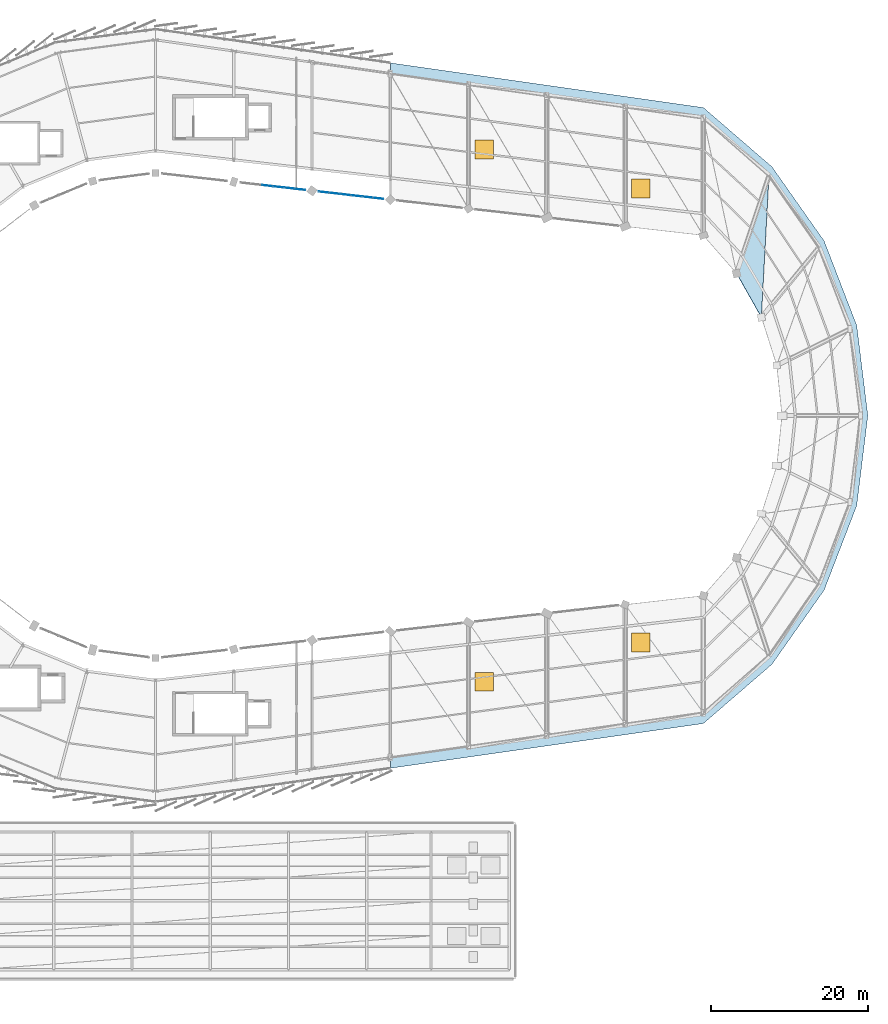
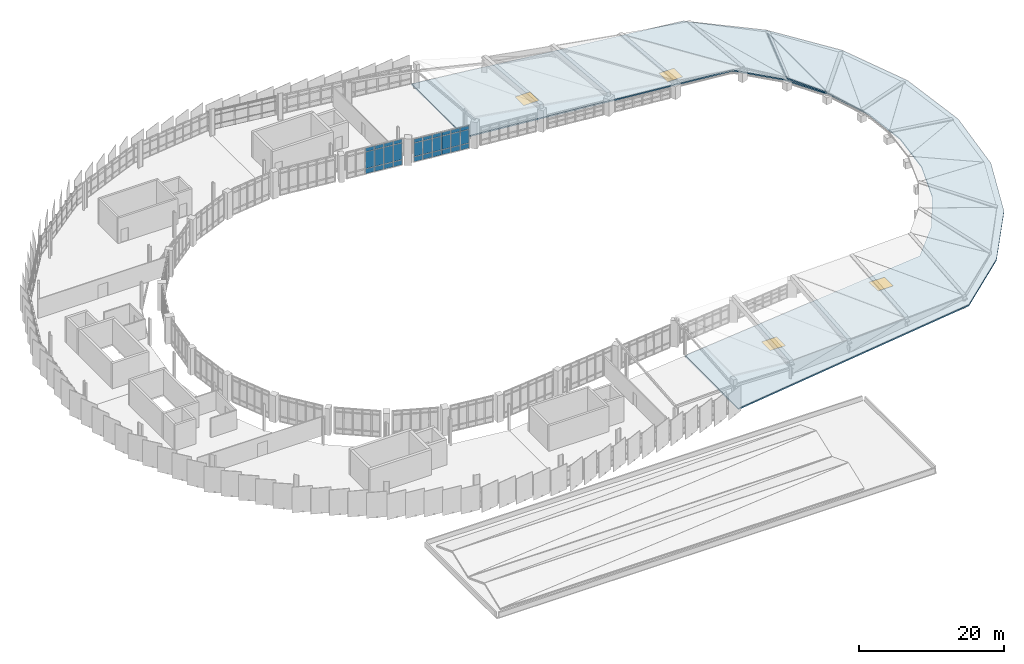
# One storey, part 57 of 67: 30 plates, 4 windows, 2 slabs, 4 openings, 2 elements without a shape of their own.
"""IFC4 building model written with IfcOpenShell, lengths in metres."""

import ifcopenshell
import ifcopenshell.guid

model = None  # the IFC model being written
_history = None  # IfcOwnerHistory: only IFC2X3 demands one
_inside = {}  # id of a spatial element -> (the spatial element, [elements in it])
_under = {}  # id of a project, library or spatial element -> (it, [spatial elements below it])
_declared = {}  # id of a project -> (the project, [libraries it declares])
_typed = {}  # id of a type object -> (the type object, [elements of that type])
_made_of = {}  # id of a material, layer set ... -> (it, [elements and type objects made of it])


def new_model(schema):
    """Start an empty IFC model of exactly this schema.

    Asked for "IFC4X3", IfcOpenShell would pick the latest addendum, in which some entities
    have other attributes; the version numbers below select the first issue.
    IFC2X3 requires an IfcOwnerHistory on every rooted entity: one is made here for all.
    """
    global model, _history
    if schema == "IFC4X3":
        model = ifcopenshell.file(schema_version=(4, 3, 0, 0))
    else:
        model = ifcopenshell.file(schema=schema)
    _inside.clear()
    _under.clear()
    _declared.clear()
    _typed.clear()
    _made_of.clear()
    _history = None
    if model.schema == "IFC2X3":
        org = make("IfcOrganization", Name="unknown")
        user = make(
            "IfcPersonAndOrganization",
            ThePerson=make("IfcPerson", FamilyName="unknown"),
            TheOrganization=org,
        )
        app = make(
            "IfcApplication",
            ApplicationDeveloper=org,
            Version="unknown",
            ApplicationFullName="unknown",
            ApplicationIdentifier="unknown",
        )
        _history = make(
            "IfcOwnerHistory",
            OwningUser=user,
            OwningApplication=app,
            ChangeAction="ADDED",
            CreationDate=0,
        )
    return model


def make(cls, **values):
    """One entity of the class cls with the attributes given. An attribute that is None is left unset."""
    return model.create_entity(
        cls, **{name: value for name, value in values.items() if value is not None}
    )


def rooted(cls, **values):
    """An entity with a GlobalId (a new one), such as an element, a storey or a relation."""
    return make(cls, GlobalId=ifcopenshell.guid.new(), OwnerHistory=_history, **values)


def si_unit(unit_type, name, prefix=None):
    """IfcSIUnit, for example si_unit("LENGTHUNIT", "METRE", prefix="MILLI")."""
    return make("IfcSIUnit", UnitType=unit_type, Prefix=prefix, Name=name)


def assignment(units):
    """IfcUnitAssignment: the units of a project."""
    return None if units is None else make("IfcUnitAssignment", Units=units)


def point(xyz):
    """IfcCartesianPoint."""
    return None if xyz is None else make("IfcCartesianPoint", Coordinates=xyz)


def direction(xyz):
    """IfcDirection."""
    return None if xyz is None else make("IfcDirection", DirectionRatios=xyz)


def frame(location, z_axis=None, x_axis=None):
    """IfcAxis2Placement3D, a coordinate frame: its origin and axes. An axis left out is left unset."""
    return make(
        "IfcAxis2Placement3D",
        Location=point(location),
        Axis=direction(z_axis),
        RefDirection=direction(x_axis),
    )


def frame_2d(location, x_axis=None):
    """IfcAxis2Placement2D, a coordinate frame in the plane: its origin and x axis."""
    return make(
        "IfcAxis2Placement2D", Location=point(location), RefDirection=direction(x_axis)
    )


def origin():
    """The frame at (0, 0, 0) with its axes left unset."""
    return frame((0.0, 0.0, 0.0))


def origin_2d():
    """The frame at (0, 0) in the plane with its x axis left unset."""
    return frame_2d((0.0, 0.0))


def place(relative_to, where):
    """IfcLocalPlacement: puts the frame where relative to a parent placement (None: the world)."""
    return make(
        "IfcLocalPlacement", PlacementRelTo=relative_to, RelativePlacement=where
    )


def context(
    kind, dimensions, precision=None, world=None, true_north=None, identifier=None
):
    """IfcGeometricRepresentationContext, for example the 3D "Model" context."""
    return make(
        "IfcGeometricRepresentationContext",
        ContextIdentifier=identifier,
        ContextType=kind,
        CoordinateSpaceDimension=dimensions,
        Precision=precision,
        WorldCoordinateSystem=world,
        TrueNorth=true_north,
    )


def subcontext(parent, identifier, kind, view, scale=None):
    """IfcGeometricRepresentationSubContext, for example "Body" below "Model"."""
    return make(
        "IfcGeometricRepresentationSubContext",
        ContextIdentifier=identifier,
        ContextType=kind,
        ParentContext=parent,
        TargetScale=scale,
        TargetView=view,
    )


def project(units=None, contexts=None):
    """IfcProject with its units and contexts."""
    return rooted(
        "IfcProject",
        Name="project",
        RepresentationContexts=contexts,
        UnitsInContext=assignment(units),
    )


def spatial(cls, under=None, at=None, **own):
    """A site, building, storey or space (cls), placed at a placement, below another one or the project."""
    s = rooted(cls, ObjectPlacement=at, **own)
    if under is not None:
        _under.setdefault(under.id(), (under, []))[1].append(s)
    return s


def polyline(points):
    """IfcPolyline through the points."""
    return make("IfcPolyline", Points=[point(p) for p in points])


def profile(cls, at=None, kind="AREA", **sizes):
    """A parametric profile (cls). Its sizes go by their IFC names, for example OverallWidth=200.0."""
    return make(cls, ProfileType=kind, Position=at, **sizes)


def rectangle(**sizes):
    """IfcRectangleProfileDef."""
    return profile("IfcRectangleProfileDef", **sizes)


def outline(outer, holes=None, kind="AREA"):
    """IfcArbitraryClosedProfileDef: a profile drawn as a closed curve; with holes, ...WithVoids."""
    if holes is None:
        return make("IfcArbitraryClosedProfileDef", ProfileType=kind, OuterCurve=outer)
    return make(
        "IfcArbitraryProfileDefWithVoids",
        ProfileType=kind,
        OuterCurve=outer,
        InnerCurves=holes,
    )


def extrude(swept, where, along, depth):
    """IfcExtrudedAreaSolid: the profile swept, set in the frame where, extruded along a direction by depth."""
    return make(
        "IfcExtrudedAreaSolid",
        SweptArea=swept,
        Position=where,
        ExtrudedDirection=direction(along),
        Depth=depth,
    )


def shape(context_of_items, identifier, shape_type, items):
    """IfcShapeRepresentation: the items that make up one representation, for example the "Body"."""
    return make(
        "IfcShapeRepresentation",
        ContextOfItems=context_of_items,
        RepresentationIdentifier=identifier,
        RepresentationType=shape_type,
        Items=items,
    )


def material(Name=None, Category=None):
    """IfcMaterial."""
    return make("IfcMaterial", Name=Name, Category=Category)


def layer(
    of_material, thickness, ventilated=None, Name=None, Category=None, Priority=None
):
    """IfcMaterialLayer: one layer of a wall or slab, of a material (None: an air gap)."""
    return make(
        "IfcMaterialLayer",
        Material=of_material,
        LayerThickness=thickness,
        IsVentilated=ventilated,
        Name=Name,
        Category=Category,
        Priority=Priority,
    )


def layer_set(layers, Name=None):
    """IfcMaterialLayerSet."""
    return make("IfcMaterialLayerSet", MaterialLayers=layers, LayerSetName=Name)


def made_of(thing, what):
    """Note that an element or type object is made of a material, layer set ...; save() writes the relation."""
    if what is not None:
        _made_of.setdefault(what.id(), (what, []))[1].append(thing)
    return thing


def type_object(cls, material=None, **own):
    """A type object (cls), such as IfcWallType, which elements share."""
    return made_of(rooted(cls, **own), material)


def element(
    cls,
    number,
    at=None,
    inside=None,
    cuts=None,
    type_object=None,
    material=None,
    context=None,
    identifier="Body",
    shape_type=None,
    held_by="IfcProductDefinitionShape",
    body=None,
    shapes=None,
    **own,
):
    """One element of the class cls, such as IfcWall. Its Tag is "e" and its number.

    at: its placement. inside: the storey or other place that contains it. cuts: it is an
    opening in that element (IfcRelVoidsElement). A single representation is given by context,
    identifier, shape_type and body (its items); several are given by shapes. held_by: the class
    of the entity that holds the representations. save() writes the other relations.
    """
    e = rooted(cls, Tag="e%d" % number, ObjectPlacement=at, **own)
    if body is not None:
        shapes = [shape(context, identifier, shape_type, body)]
    if shapes is not None:
        e.Representation = make(held_by, Representations=shapes)
    if inside is not None:
        _inside.setdefault(inside.id(), (inside, []))[1].append(e)
    if cuts is not None:
        rooted(
            "IfcRelVoidsElement", RelatingBuildingElement=cuts, RelatedOpeningElement=e
        )
    if type_object is not None:
        _typed.setdefault(type_object.id(), (type_object, []))[1].append(e)
    return made_of(e, material)


def fill(opening, filler):
    """IfcRelFillsElement: the door or window that sits in an opening."""
    return rooted(
        "IfcRelFillsElement",
        RelatingOpeningElement=opening,
        RelatedBuildingElement=filler,
    )


def aggregate(whole, parts):
    """IfcRelAggregates: a whole, such as a stair, and the parts it consists of."""
    return rooted("IfcRelAggregates", RelatingObject=whole, RelatedObjects=parts)


def save(model, path):
    """Write the relations noted so far, then the file.

    IfcRelAggregates (storeys below a building ...), IfcRelContainedInSpatialStructure (elements
    in a storey), IfcRelDefinesByType, IfcRelAssociatesMaterial and IfcRelDeclares: one each for
    every whole, place, type object, material and project.
    """
    for whole, parts in _under.values():
        aggregate(whole, parts)
    for where, things in _inside.values():
        rooted(
            "IfcRelContainedInSpatialStructure",
            RelatedElements=things,
            RelatingStructure=where,
        )
    for kind, things in _typed.values():
        rooted("IfcRelDefinesByType", RelatedObjects=things, RelatingType=kind)
    for what, things in _made_of.values():
        rooted("IfcRelAssociatesMaterial", RelatedObjects=things, RelatingMaterial=what)
    for by, libraries in _declared.values():
        rooted("IfcRelDeclares", RelatingContext=by, RelatedDefinitions=libraries)
    model.write(path)


model = new_model("IFC4")

# Units and contexts
model_context = context("Model", 3, precision=1e-05, world=origin(), true_north=direction((0.0, 1.0)))
body_context = subcontext(model_context, "Body", "Model", "MODEL_VIEW")
ifc_project = project(units=[si_unit("LENGTHUNIT", "METRE"), si_unit("AREAUNIT", "SQUARE_METRE"), si_unit("VOLUMEUNIT", "CUBIC_METRE"), si_unit("PLANEANGLEUNIT", "RADIAN"), si_unit("MASSUNIT", "GRAM", prefix="KILO")], contexts=[model_context])

# Site, building, storey
site_placement = place(None, origin())
site = spatial("IfcSite", under=ifc_project, at=site_placement, CompositionType="ELEMENT")
building_placement = place(site_placement, origin())
building = spatial("IfcBuilding", under=site, at=building_placement, Name="Sohan Crest Arena", CompositionType="ELEMENT")
storey_placement = place(building_placement, frame((0.0, 0.0, 22.5)))
storey = spatial("IfcBuildingStorey", under=building, at=storey_placement, Name="L05", CompositionType="ELEMENT", Elevation=22.5)

# Curtain wall, plates
ifc_material_1 = material(Name="Thermally broken anodised aluminium", Category="aluminium")
ifc_layer_1 = layer(ifc_material_1, 0.18994140625, Name="Thermally broken anodised aluminium")
ifc_layer_set_1 = layer_set([ifc_layer_1], Name="Thermally broken anodised aluminium")
curtain_wall_type = type_object("IfcCurtainWallType", Name="ARC-CW05", PredefinedType="NOTDEFINED", material=ifc_layer_set_1)
curtain_wall_1_placement = place(storey_placement, origin())
curtain_wall_1 = element("IfcCurtainWall", 1, at=curtain_wall_1_placement, inside=storey, type_object=curtain_wall_type, Name="Unitised curtain wall CW-198", PredefinedType="NOTDEFINED")
ifc_material_2 = material(Name="Ceramic-fritted solar-control insulated glass", Category="glass")
ifc_layer_2 = layer(ifc_material_2, 0.035888671875, Name="Ceramic-fritted solar-control insulated glass")
ifc_layer_set_2 = layer_set([ifc_layer_2], Name="Ceramic-fritted solar-control insulated glass")
plate_type = type_object("IfcPlateType", Name="ARC-CNP03", PredefinedType="CURTAIN_PANEL", material=ifc_layer_set_2)
plate_1_placement = place(storey_placement, frame((126.47021484375, 105.745849609375, 0.06494140625), z_axis=(0.0, 0.0, 1.0), x_axis=(-0.993526932422, 0.11359680696, 0.0)))
plate_1 = element("IfcPlate", 2, at=plate_1_placement, type_object=plate_type, Name="CW-198 panel 1.1", PredefinedType="CURTAIN_PANEL", context=body_context, shape_type="SweptSolid", body=[
    extrude(rectangle(XDim=1.299072265625, YDim=0.035888671875, at=origin_2d()), origin(), (0.0, 0.0, 1.0), 0.802490234375),
])
plate_2_placement = place(storey_placement, frame((126.47021484375, 105.745849609375, 0.9326171875), z_axis=(0.0, 0.0, 1.0), x_axis=(-0.993526932422, 0.11359680696, 0.0)))
plate_2 = element("IfcPlate", 3, at=plate_2_placement, type_object=plate_type, Name="CW-198 panel 1.2", PredefinedType="CURTAIN_PANEL", context=body_context, shape_type="SweptSolid", body=[
    extrude(rectangle(XDim=1.299072265625, YDim=0.035888671875, at=origin_2d()), origin(), (0.0, 0.0, 1.0), 2.240966796875),
])
plate_3_placement = place(storey_placement, frame((126.47021484375, 105.745849609375, 3.238525390625), z_axis=(0.0, 0.0, 1.0), x_axis=(-0.993526932422, 0.11359680696, 0.0)))
plate_3 = element("IfcPlate", 4, at=plate_3_placement, type_object=plate_type, Name="CW-198 panel 1.3", PredefinedType="CURTAIN_PANEL", context=body_context, shape_type="SweptSolid", body=[
    extrude(rectangle(XDim=1.299072265625, YDim=0.035888671875, at=origin_2d()), origin(), (0.0, 0.0, 1.0), 0.6025390625),
])
plate_4_placement = place(storey_placement, frame((125.092529296875, 105.9033203125, 0.06494140625), z_axis=(0.0, 0.0, 1.0), x_axis=(-0.993526932422, 0.11359680696, 0.0)))
plate_4 = element("IfcPlate", 5, at=plate_4_placement, type_object=plate_type, Name="CW-198 panel 2.1", PredefinedType="CURTAIN_PANEL", context=body_context, shape_type="SweptSolid", body=[
    extrude(rectangle(XDim=1.333984375, YDim=0.035888671875, at=origin_2d()), origin(), (0.0, 0.0, 1.0), 0.802490234375),
])
plate_5_placement = place(storey_placement, frame((125.092529296875, 105.9033203125, 0.9326171875), z_axis=(0.0, 0.0, 1.0), x_axis=(-0.993526932422, 0.11359680696, 0.0)))
plate_5 = element("IfcPlate", 6, at=plate_5_placement, type_object=plate_type, Name="CW-198 panel 2.2", PredefinedType="CURTAIN_PANEL", context=body_context, shape_type="SweptSolid", body=[
    extrude(rectangle(XDim=1.333984375, YDim=0.035888671875, at=origin_2d()), origin(), (0.0, 0.0, 1.0), 2.240966796875),
])
plate_6_placement = place(storey_placement, frame((125.092529296875, 105.9033203125, 3.238525390625), z_axis=(0.0, 0.0, 1.0), x_axis=(-0.993526932422, 0.11359680696, 0.0)))
plate_6 = element("IfcPlate", 7, at=plate_6_placement, type_object=plate_type, Name="CW-198 panel 2.3", PredefinedType="CURTAIN_PANEL", context=body_context, shape_type="SweptSolid", body=[
    extrude(rectangle(XDim=1.333984375, YDim=0.035888671875, at=origin_2d()), origin(), (0.0, 0.0, 1.0), 0.6025390625),
])
plate_7_placement = place(storey_placement, frame((123.697509765625, 106.062744140625, 0.06494140625), z_axis=(0.0, 0.0, 1.0), x_axis=(-0.993526932422, 0.11359680696, 0.0)))
plate_7 = element("IfcPlate", 8, at=plate_7_placement, type_object=plate_type, Name="CW-198 panel 3.1", PredefinedType="CURTAIN_PANEL", context=body_context, shape_type="SweptSolid", body=[
    extrude(rectangle(XDim=1.333984375, YDim=0.035888671875, at=origin_2d()), origin(), (0.0, 0.0, 1.0), 0.802490234375),
])
plate_8_placement = place(storey_placement, frame((123.697509765625, 106.062744140625, 0.9326171875), z_axis=(0.0, 0.0, 1.0), x_axis=(-0.993526932422, 0.11359680696, 0.0)))
plate_8 = element("IfcPlate", 9, at=plate_8_placement, type_object=plate_type, Name="CW-198 panel 3.2", PredefinedType="CURTAIN_PANEL", context=body_context, shape_type="SweptSolid", body=[
    extrude(rectangle(XDim=1.333984375, YDim=0.035888671875, at=origin_2d()), origin(), (0.0, 0.0, 1.0), 2.240966796875),
])
plate_9_placement = place(storey_placement, frame((123.697509765625, 106.062744140625, 3.238525390625), z_axis=(0.0, 0.0, 1.0), x_axis=(-0.993526932422, 0.11359680696, 0.0)))
plate_9 = element("IfcPlate", 10, at=plate_9_placement, type_object=plate_type, Name="CW-198 panel 3.3", PredefinedType="CURTAIN_PANEL", context=body_context, shape_type="SweptSolid", body=[
    extrude(rectangle(XDim=1.333984375, YDim=0.035888671875, at=origin_2d()), origin(), (0.0, 0.0, 1.0), 0.6025390625),
])
plate_10_placement = place(storey_placement, frame((122.302490234375, 106.22216796875, 0.06494140625), z_axis=(0.0, 0.0, 1.0), x_axis=(-0.993526932422, 0.11359680696, 0.0)))
plate_10 = element("IfcPlate", 11, at=plate_10_placement, type_object=plate_type, Name="CW-198 panel 4.1", PredefinedType="CURTAIN_PANEL", context=body_context, shape_type="SweptSolid", body=[
    extrude(rectangle(XDim=1.333984375, YDim=0.035888671875, at=origin_2d()), origin(), (0.0, 0.0, 1.0), 0.802490234375),
])
plate_11_placement = place(storey_placement, frame((122.302490234375, 106.22216796875, 0.9326171875), z_axis=(0.0, 0.0, 1.0), x_axis=(-0.993526932422, 0.11359680696, 0.0)))
plate_11 = element("IfcPlate", 12, at=plate_11_placement, type_object=plate_type, Name="CW-198 panel 4.2", PredefinedType="CURTAIN_PANEL", context=body_context, shape_type="SweptSolid", body=[
    extrude(rectangle(XDim=1.333984375, YDim=0.035888671875, at=origin_2d()), origin(), (0.0, 0.0, 1.0), 2.240966796875),
])
plate_12_placement = place(storey_placement, frame((122.302490234375, 106.22216796875, 3.238525390625), z_axis=(0.0, 0.0, 1.0), x_axis=(-0.993526932422, 0.11359680696, 0.0)))
plate_12 = element("IfcPlate", 13, at=plate_12_placement, type_object=plate_type, Name="CW-198 panel 4.3", PredefinedType="CURTAIN_PANEL", context=body_context, shape_type="SweptSolid", body=[
    extrude(rectangle(XDim=1.333984375, YDim=0.035888671875, at=origin_2d()), origin(), (0.0, 0.0, 1.0), 0.6025390625),
])
plate_13_placement = place(storey_placement, frame((120.907470703125, 106.3818359375, 0.06494140625), z_axis=(0.0, 0.0, 1.0), x_axis=(-0.993526932422, 0.11359680696, 0.0)))
plate_13 = element("IfcPlate", 14, at=plate_13_placement, type_object=plate_type, Name="CW-198 panel 5.1", PredefinedType="CURTAIN_PANEL", context=body_context, shape_type="SweptSolid", body=[
    extrude(rectangle(XDim=1.333984375, YDim=0.035888671875, at=origin_2d()), origin(), (0.0, 0.0, 1.0), 0.802490234375),
])
plate_14_placement = place(storey_placement, frame((120.907470703125, 106.3818359375, 0.9326171875), z_axis=(0.0, 0.0, 1.0), x_axis=(-0.993526932422, 0.11359680696, 0.0)))
plate_14 = element("IfcPlate", 15, at=plate_14_placement, type_object=plate_type, Name="CW-198 panel 5.2", PredefinedType="CURTAIN_PANEL", context=body_context, shape_type="SweptSolid", body=[
    extrude(rectangle(XDim=1.333984375, YDim=0.035888671875, at=origin_2d()), origin(), (0.0, 0.0, 1.0), 2.240966796875),
])
plate_15_placement = place(storey_placement, frame((120.907470703125, 106.3818359375, 3.238525390625), z_axis=(0.0, 0.0, 1.0), x_axis=(-0.993526932422, 0.11359680696, 0.0)))
plate_15 = element("IfcPlate", 16, at=plate_15_placement, type_object=plate_type, Name="CW-198 panel 5.3", PredefinedType="CURTAIN_PANEL", context=body_context, shape_type="SweptSolid", body=[
    extrude(rectangle(XDim=1.333984375, YDim=0.035888671875, at=origin_2d()), origin(), (0.0, 0.0, 1.0), 0.6025390625),
])
plate_16_placement = place(storey_placement, frame((119.52978515625, 106.539306640625, 0.06494140625), z_axis=(0.0, 0.0, 1.0), x_axis=(-0.993526932422, 0.11359680696, 0.0)))
plate_16 = element("IfcPlate", 17, at=plate_16_placement, type_object=plate_type, Name="CW-198 panel 6.1", PredefinedType="CURTAIN_PANEL", context=body_context, shape_type="SweptSolid", body=[
    extrude(rectangle(XDim=1.299072265625, YDim=0.035888671875, at=origin_2d()), origin(), (0.0, 0.0, 1.0), 0.802490234375),
])
plate_17_placement = place(storey_placement, frame((119.52978515625, 106.539306640625, 0.9326171875), z_axis=(0.0, 0.0, 1.0), x_axis=(-0.993526932422, 0.11359680696, 0.0)))
plate_17 = element("IfcPlate", 18, at=plate_17_placement, type_object=plate_type, Name="CW-198 panel 6.2", PredefinedType="CURTAIN_PANEL", context=body_context, shape_type="SweptSolid", body=[
    extrude(rectangle(XDim=1.299072265625, YDim=0.035888671875, at=origin_2d()), origin(), (0.0, 0.0, 1.0), 2.240966796875),
])
plate_18_placement = place(storey_placement, frame((119.52978515625, 106.539306640625, 3.238525390625), z_axis=(0.0, 0.0, 1.0), x_axis=(-0.993526932422, 0.11359680696, 0.0)))
plate_18 = element("IfcPlate", 19, at=plate_18_placement, type_object=plate_type, Name="CW-198 panel 6.3", PredefinedType="CURTAIN_PANEL", context=body_context, shape_type="SweptSolid", body=[
    extrude(rectangle(XDim=1.299072265625, YDim=0.035888671875, at=origin_2d()), origin(), (0.0, 0.0, 1.0), 0.6025390625),
])
aggregate(curtain_wall_1, [plate_1, plate_2, plate_3, plate_4, plate_5, plate_6, plate_7, plate_8, plate_9, plate_10, plate_11, plate_12, plate_13, plate_14, plate_15, plate_16, plate_17, plate_18])

curtain_wall_2_placement = place(storey_placement, origin())
curtain_wall_2 = element("IfcCurtainWall", 20, at=curtain_wall_2_placement, inside=storey, type_object=curtain_wall_type, Name="Unitised curtain wall CW-199", PredefinedType="NOTDEFINED")
plate_19_placement = place(storey_placement, frame((116.47021484375, 106.888671875, 0.06494140625), z_axis=(0.0, 0.0, 1.0), x_axis=(-0.993526932422, 0.11359680696, 0.0)))
plate_19 = element("IfcPlate", 21, at=plate_19_placement, type_object=plate_type, Name="CW-199 panel 1.1", PredefinedType="CURTAIN_PANEL", context=body_context, shape_type="SweptSolid", body=[
    extrude(rectangle(XDim=1.299072265625, YDim=0.035888671875, at=origin_2d()), origin(), (0.0, 0.0, 1.0), 0.802490234375),
])
plate_20_placement = place(storey_placement, frame((116.47021484375, 106.888671875, 0.9326171875), z_axis=(0.0, 0.0, 1.0), x_axis=(-0.993526932422, 0.11359680696, 0.0)))
plate_20 = element("IfcPlate", 22, at=plate_20_placement, type_object=plate_type, Name="CW-199 panel 1.2", PredefinedType="CURTAIN_PANEL", context=body_context, shape_type="SweptSolid", body=[
    extrude(rectangle(XDim=1.299072265625, YDim=0.035888671875, at=origin_2d()), origin(), (0.0, 0.0, 1.0), 2.784912109375),
])
plate_21_placement = place(storey_placement, frame((116.47021484375, 106.888671875, 3.782470703125), z_axis=(0.0, 0.0, 1.0), x_axis=(-0.993526932422, 0.11359680696, 0.0)))
plate_21 = element("IfcPlate", 23, at=plate_21_placement, type_object=plate_type, Name="CW-199 panel 1.3", PredefinedType="CURTAIN_PANEL", context=body_context, shape_type="SweptSolid", body=[
    extrude(rectangle(XDim=1.299072265625, YDim=0.035888671875, at=origin_2d()), origin(), (0.0, 0.0, 1.0), 0.6025390625),
])
plate_22_placement = place(storey_placement, frame((115.092529296875, 107.046142578125, 0.06494140625), z_axis=(0.0, 0.0, 1.0), x_axis=(-0.993526932422, 0.11359680696, 0.0)))
plate_22 = element("IfcPlate", 24, at=plate_22_placement, type_object=plate_type, Name="CW-199 panel 2.1", PredefinedType="CURTAIN_PANEL", context=body_context, shape_type="SweptSolid", body=[
    extrude(rectangle(XDim=1.333984375, YDim=0.035888671875, at=origin_2d()), origin(), (0.0, 0.0, 1.0), 0.802490234375),
])
plate_23_placement = place(storey_placement, frame((115.092529296875, 107.046142578125, 0.9326171875), z_axis=(0.0, 0.0, 1.0), x_axis=(-0.993526932422, 0.11359680696, 0.0)))
plate_23 = element("IfcPlate", 25, at=plate_23_placement, type_object=plate_type, Name="CW-199 panel 2.2", PredefinedType="CURTAIN_PANEL", context=body_context, shape_type="SweptSolid", body=[
    extrude(rectangle(XDim=1.333984375, YDim=0.035888671875, at=origin_2d()), origin(), (0.0, 0.0, 1.0), 2.784912109375),
])
plate_24_placement = place(storey_placement, frame((115.092529296875, 107.046142578125, 3.782470703125), z_axis=(0.0, 0.0, 1.0), x_axis=(-0.993526932422, 0.11359680696, 0.0)))
plate_24 = element("IfcPlate", 26, at=plate_24_placement, type_object=plate_type, Name="CW-199 panel 2.3", PredefinedType="CURTAIN_PANEL", context=body_context, shape_type="SweptSolid", body=[
    extrude(rectangle(XDim=1.333984375, YDim=0.035888671875, at=origin_2d()), origin(), (0.0, 0.0, 1.0), 0.6025390625),
])
plate_25_placement = place(storey_placement, frame((113.697509765625, 107.205810546875, 0.06494140625), z_axis=(0.0, 0.0, 1.0), x_axis=(-0.993526932422, 0.11359680696, 0.0)))
plate_25 = element("IfcPlate", 27, at=plate_25_placement, type_object=plate_type, Name="CW-199 panel 3.1", PredefinedType="CURTAIN_PANEL", context=body_context, shape_type="SweptSolid", body=[
    extrude(rectangle(XDim=1.333984375, YDim=0.035888671875, at=origin_2d()), origin(), (0.0, 0.0, 1.0), 0.802490234375),
])
plate_26_placement = place(storey_placement, frame((113.697509765625, 107.205810546875, 0.9326171875), z_axis=(0.0, 0.0, 1.0), x_axis=(-0.993526932422, 0.11359680696, 0.0)))
plate_26 = element("IfcPlate", 28, at=plate_26_placement, type_object=plate_type, Name="CW-199 panel 3.2", PredefinedType="CURTAIN_PANEL", context=body_context, shape_type="SweptSolid", body=[
    extrude(rectangle(XDim=1.333984375, YDim=0.035888671875, at=origin_2d()), origin(), (0.0, 0.0, 1.0), 2.784912109375),
])
plate_27_placement = place(storey_placement, frame((113.697509765625, 107.205810546875, 3.782470703125), z_axis=(0.0, 0.0, 1.0), x_axis=(-0.993526932422, 0.11359680696, 0.0)))
plate_27 = element("IfcPlate", 29, at=plate_27_placement, type_object=plate_type, Name="CW-199 panel 3.3", PredefinedType="CURTAIN_PANEL", context=body_context, shape_type="SweptSolid", body=[
    extrude(rectangle(XDim=1.333984375, YDim=0.035888671875, at=origin_2d()), origin(), (0.0, 0.0, 1.0), 0.6025390625),
])
plate_28_placement = place(storey_placement, frame((112.302490234375, 107.365234375, 0.06494140625), z_axis=(0.0, 0.0, 1.0), x_axis=(-0.993526932422, 0.11359680696, 0.0)))
plate_28 = element("IfcPlate", 30, at=plate_28_placement, type_object=plate_type, Name="CW-199 panel 4.1", PredefinedType="CURTAIN_PANEL", context=body_context, shape_type="SweptSolid", body=[
    extrude(rectangle(XDim=1.333984375, YDim=0.035888671875, at=origin_2d()), origin(), (0.0, 0.0, 1.0), 0.802490234375),
])
plate_29_placement = place(storey_placement, frame((112.302490234375, 107.365234375, 0.9326171875), z_axis=(0.0, 0.0, 1.0), x_axis=(-0.993526932422, 0.11359680696, 0.0)))
plate_29 = element("IfcPlate", 31, at=plate_29_placement, type_object=plate_type, Name="CW-199 panel 4.2", PredefinedType="CURTAIN_PANEL", context=body_context, shape_type="SweptSolid", body=[
    extrude(rectangle(XDim=1.333984375, YDim=0.035888671875, at=origin_2d()), origin(), (0.0, 0.0, 1.0), 2.784912109375),
])
plate_30_placement = place(storey_placement, frame((112.302490234375, 107.365234375, 3.782470703125), z_axis=(0.0, 0.0, 1.0), x_axis=(-0.993526932422, 0.11359680696, 0.0)))
plate_30 = element("IfcPlate", 32, at=plate_30_placement, type_object=plate_type, Name="CW-199 panel 4.3", PredefinedType="CURTAIN_PANEL", context=body_context, shape_type="SweptSolid", body=[
    extrude(rectangle(XDim=1.333984375, YDim=0.035888671875, at=origin_2d()), origin(), (0.0, 0.0, 1.0), 0.6025390625),
])
aggregate(curtain_wall_2, [plate_19, plate_20, plate_21, plate_22, plate_23, plate_24, plate_25, plate_26, plate_27, plate_28, plate_29, plate_30])

# Slab
ifc_material_3 = material(Name="Concrete C40/50", Category="concrete")
ifc_layer_3 = layer(ifc_material_3, 0.195068359375, Name="Concrete C40/50")
ifc_layer_set_3 = layer_set([ifc_layer_3], Name="Concrete C40/50")
slab_type_1 = type_object("IfcSlabType", Name="SL-RF02", PredefinedType="ROOF", material=ifc_layer_set_3)
slab_1_placement = place(storey_placement, frame((175.407958984375, 90.56103515625, 1.698974609375), z_axis=(0.155902184306, 0.062982607105, 0.985762496817), x_axis=(0.053586992968, 0.995956194354, -0.072108897596)))
element("IfcSlab", 33, at=slab_1_placement, inside=storey, type_object=slab_type_1, Name="Sloped roof deck panel RF-SL-100", PredefinedType="ROOF", context=body_context, shape_type="SweptSolid", body=[
    extrude(outline(polyline([(0.0, 0.0), (18.13730859464871, 1.3877787807814457e-16), (5.395687439441597, 3.496895752218442), (0.0, 0.0)])), origin(), (0.0, 0.0, -1.0), 0.195068359375),
])

# Slab, openings, windows
ifc_layer_4 = layer(ifc_material_3, 0.219970703125, Name="Concrete C40/50")
ifc_layer_set_4 = layer_set([ifc_layer_4], Name="Concrete C40/50")
slab_type_2 = type_object("IfcSlabType", Name="SL-RF03", PredefinedType="ROOF", material=ifc_layer_set_4)
slab_2_placement = place(storey_placement, frame((0.0, 0.0, -0.219970703125)))
slab_2 = element("IfcSlab", 34, at=slab_2_placement, inside=storey, type_object=slab_type_2, Name="Concourse East crescent roof slab RF-V2E", PredefinedType="ROOF", context=body_context, shape_type="SweptSolid", body=[
    extrude(outline(polyline([(128.0, 123.06396484375), (168.0, 117.35009765625), (176.76611328125, 109.778076171875), (183.430908203125, 100.304931640625), (187.596923828125, 89.49609375), (189.013916015625, 78.0), (187.596923828125, 66.50390625), (183.430908203125, 55.695068359375), (176.76611328125, 46.221923828125), (168.0, 38.64990234375), (128.0, 32.93603515625), (128.0, 47.62890625), (168.0, 52.199951171875), (172.9609375, 57.547119140625), (176.674072265625, 63.824951171875), (178.971923828125, 70.748046875), (179.75, 78.0), (178.971923828125, 85.251953125), (176.674072265625, 92.175048828125), (172.9609375, 98.452880859375), (168.0, 103.800048828125), (128.0, 108.37109375), (128.0, 123.06396484375)])), origin(), (0.0, 0.0, 1.0), 0.219970703125),
])
opening_1_placement = place(slab_2_placement, frame((140.0, 44.0, 0.0)))
opening_1 = element("IfcOpeningElement", 35, at=opening_1_placement, cuts=slab_2, Name="Opening SK-01", PredefinedType="OPENING", context=body_context, shape_type="SweptSolid", body=[
    extrude(rectangle(XDim=2.39990234375, YDim=2.39990234375, at=origin_2d()), origin(), (0.0, 0.0, 1.0), 0.219970703125),
])
opening_2_placement = place(slab_2_placement, frame((140.0, 112.0, 0.0)))
opening_2 = element("IfcOpeningElement", 36, at=opening_2_placement, cuts=slab_2, Name="Opening SK-02", PredefinedType="OPENING", context=body_context, shape_type="SweptSolid", body=[
    extrude(rectangle(XDim=2.39990234375, YDim=2.39990234375, at=origin_2d()), origin(), (0.0, 0.0, 1.0), 0.219970703125),
])
opening_3_placement = place(slab_2_placement, frame((160.0, 49.0, 0.0)))
opening_3 = element("IfcOpeningElement", 37, at=opening_3_placement, cuts=slab_2, Name="Opening SK-03", PredefinedType="OPENING", context=body_context, shape_type="SweptSolid", body=[
    extrude(rectangle(XDim=2.39990234375, YDim=2.39990234375, at=origin_2d()), origin(), (0.0, 0.0, 1.0), 0.219970703125),
])
opening_4_placement = place(slab_2_placement, frame((160.0, 107.0, 0.0)))
opening_4 = element("IfcOpeningElement", 38, at=opening_4_placement, cuts=slab_2, Name="Opening SK-04", PredefinedType="OPENING", context=body_context, shape_type="SweptSolid", body=[
    extrude(rectangle(XDim=2.39990234375, YDim=2.39990234375, at=origin_2d()), origin(), (0.0, 0.0, 1.0), 0.219970703125),
])
ifc_material_4 = material(Name="Low-E double-glazed insulated glass", Category="glass")
window_type_1 = type_object("IfcWindowType", Name="WIN-SK01", PartitioningType="SINGLE_PANEL", PredefinedType="SKYLIGHT", material=ifc_material_4)
window_1_placement = place(opening_4_placement, frame((0.0, 0.0, 0.169921875)))
window_1 = element("IfcWindow", 39, at=window_1_placement, inside=storey, type_object=window_type_1, Name="Concourse roof skylight SK-04", OverallHeight=2.39990234375, OverallWidth=2.39990234375, PartitioningType="SINGLE_PANEL", PredefinedType="SKYLIGHT", context=body_context, shape_type="SweptSolid", body=[
    extrude(rectangle(XDim=2.39990234375, YDim=2.39990234375, at=origin_2d()), origin(), (0.0, 0.0, 1.0), 0.050048828125),
])
fill(opening_4, window_1)
window_type_2 = type_object("IfcWindowType", Name="WIN-SK02", PartitioningType="SINGLE_PANEL", PredefinedType="SKYLIGHT", material=ifc_material_4)
window_2_placement = place(opening_1_placement, frame((0.0, 0.0, 0.169921875)))
window_2 = element("IfcWindow", 40, at=window_2_placement, inside=storey, type_object=window_type_2, Name="Concourse roof skylight SK-01", OverallHeight=2.39990234375, OverallWidth=2.39990234375, PartitioningType="SINGLE_PANEL", PredefinedType="SKYLIGHT", context=body_context, shape_type="SweptSolid", body=[
    extrude(rectangle(XDim=2.39990234375, YDim=2.39990234375, at=origin_2d()), origin(), (0.0, 0.0, 1.0), 0.050048828125),
])
fill(opening_1, window_2)
window_type_3 = type_object("IfcWindowType", Name="WIN-SK03", PartitioningType="SINGLE_PANEL", PredefinedType="SKYLIGHT", material=ifc_material_4)
window_3_placement = place(opening_2_placement, frame((0.0, 0.0, 0.169921875)))
window_3 = element("IfcWindow", 41, at=window_3_placement, inside=storey, type_object=window_type_3, Name="Concourse roof skylight SK-02", OverallHeight=2.39990234375, OverallWidth=2.39990234375, PartitioningType="SINGLE_PANEL", PredefinedType="SKYLIGHT", context=body_context, shape_type="SweptSolid", body=[
    extrude(rectangle(XDim=2.39990234375, YDim=2.39990234375, at=origin_2d()), origin(), (0.0, 0.0, 1.0), 0.050048828125),
])
fill(opening_2, window_3)
window_type_4 = type_object("IfcWindowType", Name="WIN-SK04", PartitioningType="SINGLE_PANEL", PredefinedType="SKYLIGHT", material=ifc_material_4)
window_4_placement = place(opening_3_placement, frame((0.0, 0.0, 0.169921875)))
window_4 = element("IfcWindow", 42, at=window_4_placement, inside=storey, type_object=window_type_4, Name="Concourse roof skylight SK-03", OverallHeight=2.39990234375, OverallWidth=2.39990234375, PartitioningType="SINGLE_PANEL", PredefinedType="SKYLIGHT", context=body_context, shape_type="SweptSolid", body=[
    extrude(rectangle(XDim=2.39990234375, YDim=2.39990234375, at=origin_2d()), origin(), (0.0, 0.0, 1.0), 0.050048828125),
])
fill(opening_3, window_4)

save(model, "model.ifc")
